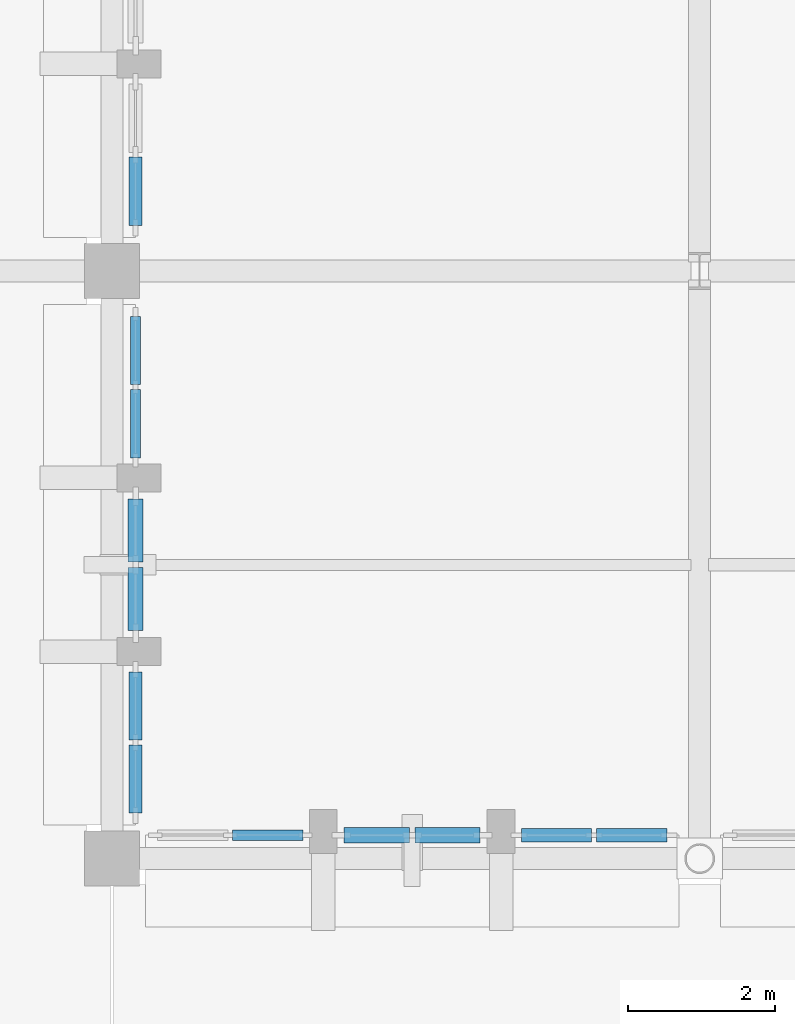
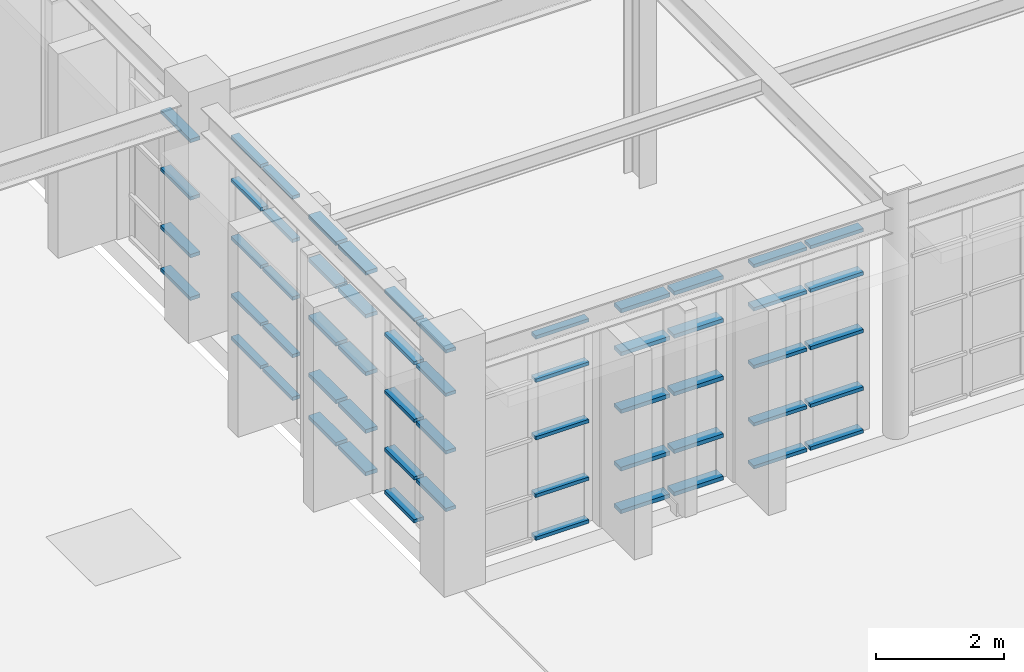
# One storey, part 74 of 155: 58 members, 7 elements without a shape of their own.
"""IFC4 building model written with IfcOpenShell, lengths in metres."""

from ifc_helpers import new_model, si_unit, direction, frame, origin, origin_2d, place, context, subcontext, project, spatial, rectangle, extrude, material, layer, layer_set, material_profile, profile_set, type_object, element, aggregate, save


model = new_model("IFC4")

# Units and contexts
model_context = context("Model", 3, precision=1e-05, world=origin(), true_north=direction((0.0, 1.0)))
body_context = subcontext(model_context, "Body", "Model", "MODEL_VIEW")
ifc_project = project(units=[si_unit("LENGTHUNIT", "METRE"), si_unit("AREAUNIT", "SQUARE_METRE"), si_unit("VOLUMEUNIT", "CUBIC_METRE"), si_unit("PLANEANGLEUNIT", "RADIAN"), si_unit("MASSUNIT", "GRAM", prefix="KILO")], contexts=[model_context])

# Site, building, storey
site_placement = place(None, origin())
site = spatial("IfcSite", under=ifc_project, at=site_placement, CompositionType="ELEMENT")
building_placement = place(site_placement, origin())
building = spatial("IfcBuilding", under=site, at=building_placement, Name="Tazarka Park Arena", CompositionType="ELEMENT")
storey_placement = place(building_placement, frame((0.0, 0.0, 5.39990234375)))
storey = spatial("IfcBuildingStorey", under=building, at=storey_placement, Name="L01", CompositionType="ELEMENT", Elevation=5.39990234375)

# Curtain wall, members
ifc_material_1 = material(Name="Aluminium and low-e glass", Category="aluminium")
ifc_layer_1 = layer(ifc_material_1, 0.179931640625, Name="Aluminium and low-e glass")
ifc_layer_set_1 = layer_set([ifc_layer_1], Name="Aluminium and low-e glass")
curtain_wall_type_1 = type_object("IfcCurtainWallType", Name="CW-15", PredefinedType="NOTDEFINED", material=ifc_layer_set_1)
curtain_wall_1_placement = place(storey_placement, origin())
curtain_wall_1 = element("IfcCurtainWall", 1, at=curtain_wall_1_placement, inside=storey, type_object=curtain_wall_type_1, Name="Curtain Wall CWA-L01-165", PredefinedType="NOTDEFINED")
ifc_material_2 = material(Name="Aluminium 6060-T66", Category="aluminium")
ifc_material_profile_1 = material_profile(ifc_material_2, rectangle(XDim=0.139892578125, YDim=0.06494140625, at=origin_2d()), Name="Aluminium 6060-T66")
ifc_profile_set_1 = profile_set([ifc_material_profile_1], Name="Aluminium 6060-T66")
member_type_1 = type_object("IfcMemberType", Name="CWT-01", PredefinedType="USERDEFINED", material=ifc_profile_set_1)
member_1_placement = place(storey_placement, frame((136.320068359375, 45.456787109375, 0.03271484375), z_axis=(0.0, 1.0, 0.0), x_axis=(-1.0, 0.0, 0.0)))
member_1 = element("IfcMember", 2, at=member_1_placement, type_object=member_type_1, Name="CW-15 transom 1.1", ObjectType="TRANSOM", PredefinedType="USERDEFINED", context=body_context, shape_type="SweptSolid", body=[
    extrude(rectangle(XDim=0.139892578125, YDim=0.06494140625, at=origin_2d()), origin(), (0.0, 0.0, 1.0), 0.928955078125),
])
member_2_placement = place(storey_placement, frame((136.320068359375, 45.456787109375, 0.85009765625), z_axis=(0.0, 1.0, 0.0), x_axis=(-1.0, 0.0, 0.0)))
member_2 = element("IfcMember", 3, at=member_2_placement, type_object=member_type_1, Name="CW-15 transom 1.2", ObjectType="TRANSOM", PredefinedType="USERDEFINED", context=body_context, shape_type="SweptSolid", body=[
    extrude(rectangle(XDim=0.139892578125, YDim=0.06494140625, at=origin_2d()), origin(), (0.0, 0.0, 1.0), 0.928955078125),
])
member_3_placement = place(storey_placement, frame((136.320068359375, 45.456787109375, 1.9501953125), z_axis=(0.0, 1.0, 0.0), x_axis=(-1.0, 0.0, 0.0)))
member_3 = element("IfcMember", 4, at=member_3_placement, type_object=member_type_1, Name="CW-15 transom 1.3", ObjectType="TRANSOM", PredefinedType="USERDEFINED", context=body_context, shape_type="SweptSolid", body=[
    extrude(rectangle(XDim=0.139892578125, YDim=0.06494140625, at=origin_2d()), origin(), (0.0, 0.0, 1.0), 0.928955078125),
])
member_4_placement = place(storey_placement, frame((136.320068359375, 45.456787109375, 3.050048828125), z_axis=(0.0, 1.0, 0.0), x_axis=(-1.0, 0.0, 0.0)))
member_4 = element("IfcMember", 5, at=member_4_placement, type_object=member_type_1, Name="CW-15 transom 1.4", ObjectType="TRANSOM", PredefinedType="USERDEFINED", context=body_context, shape_type="SweptSolid", body=[
    extrude(rectangle(XDim=0.139892578125, YDim=0.06494140625, at=origin_2d()), origin(), (0.0, 0.0, 1.0), 0.928955078125),
])
member_5_placement = place(storey_placement, frame((136.320068359375, 45.456787109375, 3.877685546875), z_axis=(0.0, 1.0, 0.0), x_axis=(-1.0, 0.0, 0.0)))
member_5 = element("IfcMember", 6, at=member_5_placement, type_object=member_type_1, Name="CW-15 transom 1.5", ObjectType="TRANSOM", PredefinedType="USERDEFINED", context=body_context, shape_type="SweptSolid", body=[
    extrude(rectangle(XDim=0.139892578125, YDim=0.06494140625, at=origin_2d()), origin(), (0.0, 0.0, 1.0), 0.928955078125),
])
member_6_placement = place(storey_placement, frame((136.320068359375, 46.450927734375, 0.03271484375), z_axis=(0.0, 1.0, 0.0), x_axis=(-1.0, 0.0, 0.0)))
member_6 = element("IfcMember", 7, at=member_6_placement, type_object=member_type_1, Name="CW-15 transom 2.1", ObjectType="TRANSOM", PredefinedType="USERDEFINED", context=body_context, shape_type="SweptSolid", body=[
    extrude(rectangle(XDim=0.139892578125, YDim=0.06494140625, at=origin_2d()), origin(), (0.0, 0.0, 1.0), 0.928955078125),
])
member_7_placement = place(storey_placement, frame((136.320068359375, 46.450927734375, 0.85009765625), z_axis=(0.0, 1.0, 0.0), x_axis=(-1.0, 0.0, 0.0)))
member_7 = element("IfcMember", 8, at=member_7_placement, type_object=member_type_1, Name="CW-15 transom 2.2", ObjectType="TRANSOM", PredefinedType="USERDEFINED", context=body_context, shape_type="SweptSolid", body=[
    extrude(rectangle(XDim=0.139892578125, YDim=0.06494140625, at=origin_2d()), origin(), (0.0, 0.0, 1.0), 0.928955078125),
])
member_8_placement = place(storey_placement, frame((136.320068359375, 46.450927734375, 1.9501953125), z_axis=(0.0, 1.0, 0.0), x_axis=(-1.0, 0.0, 0.0)))
member_8 = element("IfcMember", 9, at=member_8_placement, type_object=member_type_1, Name="CW-15 transom 2.3", ObjectType="TRANSOM", PredefinedType="USERDEFINED", context=body_context, shape_type="SweptSolid", body=[
    extrude(rectangle(XDim=0.139892578125, YDim=0.06494140625, at=origin_2d()), origin(), (0.0, 0.0, 1.0), 0.928955078125),
])
member_9_placement = place(storey_placement, frame((136.320068359375, 46.450927734375, 3.050048828125), z_axis=(0.0, 1.0, 0.0), x_axis=(-1.0, 0.0, 0.0)))
member_9 = element("IfcMember", 10, at=member_9_placement, type_object=member_type_1, Name="CW-15 transom 2.4", ObjectType="TRANSOM", PredefinedType="USERDEFINED", context=body_context, shape_type="SweptSolid", body=[
    extrude(rectangle(XDim=0.139892578125, YDim=0.06494140625, at=origin_2d()), origin(), (0.0, 0.0, 1.0), 0.928955078125),
])
member_10_placement = place(storey_placement, frame((136.320068359375, 46.450927734375, 3.877685546875), z_axis=(0.0, 1.0, 0.0), x_axis=(-1.0, 0.0, 0.0)))
member_10 = element("IfcMember", 11, at=member_10_placement, type_object=member_type_1, Name="CW-15 transom 2.5", ObjectType="TRANSOM", PredefinedType="USERDEFINED", context=body_context, shape_type="SweptSolid", body=[
    extrude(rectangle(XDim=0.139892578125, YDim=0.06494140625, at=origin_2d()), origin(), (0.0, 0.0, 1.0), 0.928955078125),
])
aggregate(curtain_wall_1, [member_1, member_2, member_3, member_4, member_5, member_6, member_7, member_8, member_9, member_10])

ifc_material_3 = material(Name="Aluminium and low-e glass", Category="aluminium")
ifc_layer_2 = layer(ifc_material_3, 0.179931640625, Name="Aluminium and low-e glass")
ifc_layer_set_2 = layer_set([ifc_layer_2], Name="Aluminium and low-e glass")
curtain_wall_type_2 = type_object("IfcCurtainWallType", Name="CW-18", PredefinedType="NOTDEFINED", material=ifc_layer_set_2)
curtain_wall_2_placement = place(storey_placement, origin())
curtain_wall_2 = element("IfcCurtainWall", 12, at=curtain_wall_2_placement, inside=storey, type_object=curtain_wall_type_2, Name="Curtain Wall CWA-L01-168", PredefinedType="NOTDEFINED")
member_11_placement = place(storey_placement, frame((138.6005859375, 40.320068359375, 0.03271484375), z_axis=(-1.0, 0.0, 0.0), x_axis=(0.0, -1.0, 0.0)))
member_11 = element("IfcMember", 13, at=member_11_placement, type_object=member_type_1, Name="CW-18 transom 1.1", ObjectType="TRANSOM", PredefinedType="USERDEFINED", context=body_context, shape_type="SweptSolid", body=[
    extrude(rectangle(XDim=0.139892578125, YDim=0.06494140625, at=origin_2d()), origin(), (0.0, 0.0, 1.0), 0.957763671875),
])
member_12_placement = place(storey_placement, frame((138.6005859375, 40.320068359375, 0.85009765625), z_axis=(-1.0, 0.0, 0.0), x_axis=(0.0, -1.0, 0.0)))
member_12 = element("IfcMember", 14, at=member_12_placement, type_object=member_type_1, Name="CW-18 transom 1.2", ObjectType="TRANSOM", PredefinedType="USERDEFINED", context=body_context, shape_type="SweptSolid", body=[
    extrude(rectangle(XDim=0.139892578125, YDim=0.06494140625, at=origin_2d()), origin(), (0.0, 0.0, 1.0), 0.957763671875),
])
member_13_placement = place(storey_placement, frame((138.6005859375, 40.320068359375, 1.9501953125), z_axis=(-1.0, 0.0, 0.0), x_axis=(0.0, -1.0, 0.0)))
member_13 = element("IfcMember", 15, at=member_13_placement, type_object=member_type_1, Name="CW-18 transom 1.3", ObjectType="TRANSOM", PredefinedType="USERDEFINED", context=body_context, shape_type="SweptSolid", body=[
    extrude(rectangle(XDim=0.139892578125, YDim=0.06494140625, at=origin_2d()), origin(), (0.0, 0.0, 1.0), 0.957763671875),
])
member_14_placement = place(storey_placement, frame((138.6005859375, 40.320068359375, 3.050048828125), z_axis=(-1.0, 0.0, 0.0), x_axis=(0.0, -1.0, 0.0)))
member_14 = element("IfcMember", 16, at=member_14_placement, type_object=member_type_1, Name="CW-18 transom 1.4", ObjectType="TRANSOM", PredefinedType="USERDEFINED", context=body_context, shape_type="SweptSolid", body=[
    extrude(rectangle(XDim=0.139892578125, YDim=0.06494140625, at=origin_2d()), origin(), (0.0, 0.0, 1.0), 0.957763671875),
])
member_15_placement = place(storey_placement, frame((138.6005859375, 40.320068359375, 3.877685546875), z_axis=(-1.0, 0.0, 0.0), x_axis=(0.0, -1.0, 0.0)))
member_15 = element("IfcMember", 17, at=member_15_placement, type_object=member_type_1, Name="CW-18 transom 1.5", ObjectType="TRANSOM", PredefinedType="USERDEFINED", context=body_context, shape_type="SweptSolid", body=[
    extrude(rectangle(XDim=0.139892578125, YDim=0.06494140625, at=origin_2d()), origin(), (0.0, 0.0, 1.0), 0.957763671875),
])
aggregate(curtain_wall_2, [member_11, member_12, member_13, member_14, member_15])

ifc_material_4 = material(Name="Aluminium and low-e glass", Category="aluminium")
ifc_layer_3 = layer(ifc_material_4, 0.179931640625, Name="Aluminium and low-e glass")
ifc_layer_set_3 = layer_set([ifc_layer_3], Name="Aluminium and low-e glass")
curtain_wall_type_3 = type_object("IfcCurtainWallType", Name="CW-10", PredefinedType="NOTDEFINED", material=ifc_layer_set_3)
curtain_wall_3_placement = place(storey_placement, origin())
curtain_wall_3 = element("IfcCurtainWall", 18, at=curtain_wall_3_placement, inside=storey, type_object=curtain_wall_type_3, Name="Curtain Wall CWA-L01-160", PredefinedType="NOTDEFINED")
ifc_material_5 = material(Name="Aluminium 6060-T66", Category="aluminium")
ifc_material_profile_2 = material_profile(ifc_material_5, rectangle(XDim=0.179931640625, YDim=0.06494140625, at=origin_2d()), Name="Aluminium 6060-T66")
ifc_profile_set_2 = profile_set([ifc_material_profile_2], Name="Aluminium 6060-T66")
member_type_2 = type_object("IfcMemberType", Name="CWT-02", PredefinedType="USERDEFINED", material=ifc_profile_set_2)
member_16_placement = place(storey_placement, frame((136.320068359375, 48.6201171875, 0.03271484375), z_axis=(0.0, 1.0, 0.0), x_axis=(-1.0, 0.0, 0.0)))
member_16 = element("IfcMember", 19, at=member_16_placement, type_object=member_type_2, Name="CW-10 transom 1.1", ObjectType="TRANSOM", PredefinedType="USERDEFINED", context=body_context, shape_type="SweptSolid", body=[
    extrude(rectangle(XDim=0.179931640625, YDim=0.06494140625, at=origin_2d()), origin(), (0.0, 0.0, 1.0), 0.928955078125),
])
member_17_placement = place(storey_placement, frame((136.320068359375, 48.6201171875, 0.85009765625), z_axis=(0.0, 1.0, 0.0), x_axis=(-1.0, 0.0, 0.0)))
member_17 = element("IfcMember", 20, at=member_17_placement, type_object=member_type_2, Name="CW-10 transom 1.2", ObjectType="TRANSOM", PredefinedType="USERDEFINED", context=body_context, shape_type="SweptSolid", body=[
    extrude(rectangle(XDim=0.179931640625, YDim=0.06494140625, at=origin_2d()), origin(), (0.0, 0.0, 1.0), 0.928955078125),
])
member_18_placement = place(storey_placement, frame((136.320068359375, 48.6201171875, 1.9501953125), z_axis=(0.0, 1.0, 0.0), x_axis=(-1.0, 0.0, 0.0)))
member_18 = element("IfcMember", 21, at=member_18_placement, type_object=member_type_2, Name="CW-10 transom 1.3", ObjectType="TRANSOM", PredefinedType="USERDEFINED", context=body_context, shape_type="SweptSolid", body=[
    extrude(rectangle(XDim=0.179931640625, YDim=0.06494140625, at=origin_2d()), origin(), (0.0, 0.0, 1.0), 0.928955078125),
])
member_19_placement = place(storey_placement, frame((136.320068359375, 48.6201171875, 3.050048828125), z_axis=(0.0, 1.0, 0.0), x_axis=(-1.0, 0.0, 0.0)))
member_19 = element("IfcMember", 22, at=member_19_placement, type_object=member_type_2, Name="CW-10 transom 1.4", ObjectType="TRANSOM", PredefinedType="USERDEFINED", context=body_context, shape_type="SweptSolid", body=[
    extrude(rectangle(XDim=0.179931640625, YDim=0.06494140625, at=origin_2d()), origin(), (0.0, 0.0, 1.0), 0.928955078125),
])
aggregate(curtain_wall_3, [member_16, member_17, member_18, member_19])

ifc_material_6 = material(Name="Aluminium and low-e glass", Category="aluminium")
ifc_layer_4 = layer(ifc_material_6, 0.179931640625, Name="Aluminium and low-e glass")
ifc_layer_set_4 = layer_set([ifc_layer_4], Name="Aluminium and low-e glass")
curtain_wall_type_4 = type_object("IfcCurtainWallType", Name="CW-13", PredefinedType="NOTDEFINED", material=ifc_layer_set_4)
curtain_wall_4_placement = place(storey_placement, origin())
curtain_wall_4 = element("IfcCurtainWall", 23, at=curtain_wall_4_placement, inside=storey, type_object=curtain_wall_type_4, Name="Curtain Wall CWA-L01-163", PredefinedType="NOTDEFINED")
member_20_placement = place(storey_placement, frame((136.320068359375, 40.6201171875, 0.85009765625), z_axis=(0.0, 1.0, 0.0), x_axis=(-1.0, 0.0, 0.0)))
member_20 = element("IfcMember", 24, at=member_20_placement, type_object=member_type_2, Name="CW-13 transom 1.2", ObjectType="TRANSOM", PredefinedType="USERDEFINED", context=body_context, shape_type="SweptSolid", body=[
    extrude(rectangle(XDim=0.179931640625, YDim=0.06494140625, at=origin_2d()), origin(), (0.0, 0.0, 1.0), 0.928955078125),
])
member_21_placement = place(storey_placement, frame((136.320068359375, 40.6201171875, 1.9501953125), z_axis=(0.0, 1.0, 0.0), x_axis=(-1.0, 0.0, 0.0)))
member_21 = element("IfcMember", 25, at=member_21_placement, type_object=member_type_2, Name="CW-13 transom 1.3", ObjectType="TRANSOM", PredefinedType="USERDEFINED", context=body_context, shape_type="SweptSolid", body=[
    extrude(rectangle(XDim=0.179931640625, YDim=0.06494140625, at=origin_2d()), origin(), (0.0, 0.0, 1.0), 0.928955078125),
])
member_22_placement = place(storey_placement, frame((136.320068359375, 40.6201171875, 3.050048828125), z_axis=(0.0, 1.0, 0.0), x_axis=(-1.0, 0.0, 0.0)))
member_22 = element("IfcMember", 26, at=member_22_placement, type_object=member_type_2, Name="CW-13 transom 1.4", ObjectType="TRANSOM", PredefinedType="USERDEFINED", context=body_context, shape_type="SweptSolid", body=[
    extrude(rectangle(XDim=0.179931640625, YDim=0.06494140625, at=origin_2d()), origin(), (0.0, 0.0, 1.0), 0.928955078125),
])
member_23_placement = place(storey_placement, frame((136.320068359375, 40.6201171875, 3.877685546875), z_axis=(0.0, 1.0, 0.0), x_axis=(-1.0, 0.0, 0.0)))
member_23 = element("IfcMember", 27, at=member_23_placement, type_object=member_type_2, Name="CW-13 transom 1.5", ObjectType="TRANSOM", PredefinedType="USERDEFINED", context=body_context, shape_type="SweptSolid", body=[
    extrude(rectangle(XDim=0.179931640625, YDim=0.06494140625, at=origin_2d()), origin(), (0.0, 0.0, 1.0), 0.928955078125),
])
member_24_placement = place(storey_placement, frame((136.320068359375, 41.6142578125, 0.03271484375), z_axis=(0.0, 1.0, 0.0), x_axis=(-1.0, 0.0, 0.0)))
member_24 = element("IfcMember", 28, at=member_24_placement, type_object=member_type_2, Name="CW-13 transom 2.1", ObjectType="TRANSOM", PredefinedType="USERDEFINED", context=body_context, shape_type="SweptSolid", body=[
    extrude(rectangle(XDim=0.179931640625, YDim=0.06494140625, at=origin_2d()), origin(), (0.0, 0.0, 1.0), 0.928955078125),
])
member_25_placement = place(storey_placement, frame((136.320068359375, 41.6142578125, 0.85009765625), z_axis=(0.0, 1.0, 0.0), x_axis=(-1.0, 0.0, 0.0)))
member_25 = element("IfcMember", 29, at=member_25_placement, type_object=member_type_2, Name="CW-13 transom 2.2", ObjectType="TRANSOM", PredefinedType="USERDEFINED", context=body_context, shape_type="SweptSolid", body=[
    extrude(rectangle(XDim=0.179931640625, YDim=0.06494140625, at=origin_2d()), origin(), (0.0, 0.0, 1.0), 0.928955078125),
])
member_26_placement = place(storey_placement, frame((136.320068359375, 41.6142578125, 1.9501953125), z_axis=(0.0, 1.0, 0.0), x_axis=(-1.0, 0.0, 0.0)))
member_26 = element("IfcMember", 30, at=member_26_placement, type_object=member_type_2, Name="CW-13 transom 2.3", ObjectType="TRANSOM", PredefinedType="USERDEFINED", context=body_context, shape_type="SweptSolid", body=[
    extrude(rectangle(XDim=0.179931640625, YDim=0.06494140625, at=origin_2d()), origin(), (0.0, 0.0, 1.0), 0.928955078125),
])
member_27_placement = place(storey_placement, frame((136.320068359375, 41.6142578125, 3.050048828125), z_axis=(0.0, 1.0, 0.0), x_axis=(-1.0, 0.0, 0.0)))
member_27 = element("IfcMember", 31, at=member_27_placement, type_object=member_type_2, Name="CW-13 transom 2.4", ObjectType="TRANSOM", PredefinedType="USERDEFINED", context=body_context, shape_type="SweptSolid", body=[
    extrude(rectangle(XDim=0.179931640625, YDim=0.06494140625, at=origin_2d()), origin(), (0.0, 0.0, 1.0), 0.928955078125),
])
member_28_placement = place(storey_placement, frame((136.320068359375, 41.6142578125, 3.877685546875), z_axis=(0.0, 1.0, 0.0), x_axis=(-1.0, 0.0, 0.0)))
member_28 = element("IfcMember", 32, at=member_28_placement, type_object=member_type_2, Name="CW-13 transom 2.5", ObjectType="TRANSOM", PredefinedType="USERDEFINED", context=body_context, shape_type="SweptSolid", body=[
    extrude(rectangle(XDim=0.179931640625, YDim=0.06494140625, at=origin_2d()), origin(), (0.0, 0.0, 1.0), 0.928955078125),
])
aggregate(curtain_wall_4, [member_20, member_21, member_22, member_23, member_24, member_25, member_26, member_27, member_28])

ifc_material_7 = material(Name="Aluminium and low-e glass", Category="aluminium")
ifc_layer_5 = layer(ifc_material_7, 0.179931640625, Name="Aluminium and low-e glass")
ifc_layer_set_5 = layer_set([ifc_layer_5], Name="Aluminium and low-e glass")
curtain_wall_type_5 = type_object("IfcCurtainWallType", Name="CW-16", PredefinedType="NOTDEFINED", material=ifc_layer_set_5)
curtain_wall_5_placement = place(storey_placement, origin())
curtain_wall_5 = element("IfcCurtainWall", 33, at=curtain_wall_5_placement, inside=storey, type_object=curtain_wall_type_5, Name="Curtain Wall CWA-L01-166", PredefinedType="NOTDEFINED")
member_29_placement = place(storey_placement, frame((143.5517578125, 40.320068359375, 0.03271484375), z_axis=(-1.0, 0.0, 0.0), x_axis=(0.0, -1.0, 0.0)))
member_29 = element("IfcMember", 34, at=member_29_placement, type_object=member_type_2, Name="CW-16 transom 1.1", ObjectType="TRANSOM", PredefinedType="USERDEFINED", context=body_context, shape_type="SweptSolid", body=[
    extrude(rectangle(XDim=0.179931640625, YDim=0.06494140625, at=origin_2d()), origin(), (0.0, 0.0, 1.0), 0.957763671875),
])
member_30_placement = place(storey_placement, frame((143.5517578125, 40.320068359375, 0.85009765625), z_axis=(-1.0, 0.0, 0.0), x_axis=(0.0, -1.0, 0.0)))
member_30 = element("IfcMember", 35, at=member_30_placement, type_object=member_type_2, Name="CW-16 transom 1.2", ObjectType="TRANSOM", PredefinedType="USERDEFINED", context=body_context, shape_type="SweptSolid", body=[
    extrude(rectangle(XDim=0.179931640625, YDim=0.06494140625, at=origin_2d()), origin(), (0.0, 0.0, 1.0), 0.957763671875),
])
member_31_placement = place(storey_placement, frame((143.5517578125, 40.320068359375, 1.9501953125), z_axis=(-1.0, 0.0, 0.0), x_axis=(0.0, -1.0, 0.0)))
member_31 = element("IfcMember", 36, at=member_31_placement, type_object=member_type_2, Name="CW-16 transom 1.3", ObjectType="TRANSOM", PredefinedType="USERDEFINED", context=body_context, shape_type="SweptSolid", body=[
    extrude(rectangle(XDim=0.179931640625, YDim=0.06494140625, at=origin_2d()), origin(), (0.0, 0.0, 1.0), 0.957763671875),
])
member_32_placement = place(storey_placement, frame((143.5517578125, 40.320068359375, 3.050048828125), z_axis=(-1.0, 0.0, 0.0), x_axis=(0.0, -1.0, 0.0)))
member_32 = element("IfcMember", 37, at=member_32_placement, type_object=member_type_2, Name="CW-16 transom 1.4", ObjectType="TRANSOM", PredefinedType="USERDEFINED", context=body_context, shape_type="SweptSolid", body=[
    extrude(rectangle(XDim=0.179931640625, YDim=0.06494140625, at=origin_2d()), origin(), (0.0, 0.0, 1.0), 0.957763671875),
])
member_33_placement = place(storey_placement, frame((143.5517578125, 40.320068359375, 3.877685546875), z_axis=(-1.0, 0.0, 0.0), x_axis=(0.0, -1.0, 0.0)))
member_33 = element("IfcMember", 38, at=member_33_placement, type_object=member_type_2, Name="CW-16 transom 1.5", ObjectType="TRANSOM", PredefinedType="USERDEFINED", context=body_context, shape_type="SweptSolid", body=[
    extrude(rectangle(XDim=0.179931640625, YDim=0.06494140625, at=origin_2d()), origin(), (0.0, 0.0, 1.0), 0.957763671875),
])
member_34_placement = place(storey_placement, frame((142.529052734375, 40.320068359375, 0.03271484375), z_axis=(-1.0, 0.0, 0.0), x_axis=(0.0, -1.0, 0.0)))
member_34 = element("IfcMember", 39, at=member_34_placement, type_object=member_type_2, Name="CW-16 transom 2.1", ObjectType="TRANSOM", PredefinedType="USERDEFINED", context=body_context, shape_type="SweptSolid", body=[
    extrude(rectangle(XDim=0.179931640625, YDim=0.06494140625, at=origin_2d()), origin(), (0.0, 0.0, 1.0), 0.957763671875),
])
member_35_placement = place(storey_placement, frame((142.529052734375, 40.320068359375, 0.85009765625), z_axis=(-1.0, 0.0, 0.0), x_axis=(0.0, -1.0, 0.0)))
member_35 = element("IfcMember", 40, at=member_35_placement, type_object=member_type_2, Name="CW-16 transom 2.2", ObjectType="TRANSOM", PredefinedType="USERDEFINED", context=body_context, shape_type="SweptSolid", body=[
    extrude(rectangle(XDim=0.179931640625, YDim=0.06494140625, at=origin_2d()), origin(), (0.0, 0.0, 1.0), 0.957763671875),
])
member_36_placement = place(storey_placement, frame((142.529052734375, 40.320068359375, 1.9501953125), z_axis=(-1.0, 0.0, 0.0), x_axis=(0.0, -1.0, 0.0)))
member_36 = element("IfcMember", 41, at=member_36_placement, type_object=member_type_2, Name="CW-16 transom 2.3", ObjectType="TRANSOM", PredefinedType="USERDEFINED", context=body_context, shape_type="SweptSolid", body=[
    extrude(rectangle(XDim=0.179931640625, YDim=0.06494140625, at=origin_2d()), origin(), (0.0, 0.0, 1.0), 0.957763671875),
])
member_37_placement = place(storey_placement, frame((142.529052734375, 40.320068359375, 3.050048828125), z_axis=(-1.0, 0.0, 0.0), x_axis=(0.0, -1.0, 0.0)))
member_37 = element("IfcMember", 42, at=member_37_placement, type_object=member_type_2, Name="CW-16 transom 2.4", ObjectType="TRANSOM", PredefinedType="USERDEFINED", context=body_context, shape_type="SweptSolid", body=[
    extrude(rectangle(XDim=0.179931640625, YDim=0.06494140625, at=origin_2d()), origin(), (0.0, 0.0, 1.0), 0.957763671875),
])
member_38_placement = place(storey_placement, frame((142.529052734375, 40.320068359375, 3.877685546875), z_axis=(-1.0, 0.0, 0.0), x_axis=(0.0, -1.0, 0.0)))
member_38 = element("IfcMember", 43, at=member_38_placement, type_object=member_type_2, Name="CW-16 transom 2.5", ObjectType="TRANSOM", PredefinedType="USERDEFINED", context=body_context, shape_type="SweptSolid", body=[
    extrude(rectangle(XDim=0.179931640625, YDim=0.06494140625, at=origin_2d()), origin(), (0.0, 0.0, 1.0), 0.957763671875),
])
aggregate(curtain_wall_5, [member_29, member_30, member_31, member_32, member_33, member_34, member_35, member_36, member_37, member_38])

ifc_material_8 = material(Name="Aluminium and low-e glass", Category="aluminium")
ifc_layer_6 = layer(ifc_material_8, 0.179931640625, Name="Aluminium and low-e glass")
ifc_layer_set_6 = layer_set([ifc_layer_6], Name="Aluminium and low-e glass")
curtain_wall_type_6 = type_object("IfcCurtainWallType", Name="CW-14", PredefinedType="NOTDEFINED", material=ifc_layer_set_6)
curtain_wall_6_placement = place(storey_placement, origin())
curtain_wall_6 = element("IfcCurtainWall", 44, at=curtain_wall_6_placement, inside=storey, type_object=curtain_wall_type_6, Name="Curtain Wall CWA-L01-164", PredefinedType="NOTDEFINED")
ifc_material_9 = material(Name="Aluminium 6060-T66", Category="aluminium")
ifc_material_profile_3 = material_profile(ifc_material_9, rectangle(XDim=0.2099609375, YDim=0.074951171875, at=origin_2d()), Name="Aluminium 6060-T66")
ifc_profile_set_3 = profile_set([ifc_material_profile_3], Name="Aluminium 6060-T66")
member_type_3 = type_object("IfcMemberType", Name="CWT-03", PredefinedType="USERDEFINED", material=ifc_profile_set_3)
member_39_placement = place(storey_placement, frame((136.320068359375, 43.103271484375, 0.03759765625), z_axis=(0.0, 1.0, 0.0), x_axis=(-1.0, 0.0, 0.0)))
member_39 = element("IfcMember", 45, at=member_39_placement, type_object=member_type_3, Name="CW-14 transom 1.1", ObjectType="TRANSOM", PredefinedType="USERDEFINED", context=body_context, shape_type="SweptSolid", body=[
    extrude(rectangle(XDim=0.2099609375, YDim=0.074951171875, at=origin_2d()), origin(), (0.0, 0.0, 1.0), 0.859130859375),
])
member_40_placement = place(storey_placement, frame((136.320068359375, 43.103271484375, 0.85009765625), z_axis=(0.0, 1.0, 0.0), x_axis=(-1.0, 0.0, 0.0)))
member_40 = element("IfcMember", 46, at=member_40_placement, type_object=member_type_3, Name="CW-14 transom 1.2", ObjectType="TRANSOM", PredefinedType="USERDEFINED", context=body_context, shape_type="SweptSolid", body=[
    extrude(rectangle(XDim=0.2099609375, YDim=0.074951171875, at=origin_2d()), origin(), (0.0, 0.0, 1.0), 0.859130859375),
])
member_41_placement = place(storey_placement, frame((136.320068359375, 43.103271484375, 1.9501953125), z_axis=(0.0, 1.0, 0.0), x_axis=(-1.0, 0.0, 0.0)))
member_41 = element("IfcMember", 47, at=member_41_placement, type_object=member_type_3, Name="CW-14 transom 1.3", ObjectType="TRANSOM", PredefinedType="USERDEFINED", context=body_context, shape_type="SweptSolid", body=[
    extrude(rectangle(XDim=0.2099609375, YDim=0.074951171875, at=origin_2d()), origin(), (0.0, 0.0, 1.0), 0.859130859375),
])
member_42_placement = place(storey_placement, frame((136.320068359375, 43.103271484375, 3.050048828125), z_axis=(0.0, 1.0, 0.0), x_axis=(-1.0, 0.0, 0.0)))
member_42 = element("IfcMember", 48, at=member_42_placement, type_object=member_type_3, Name="CW-14 transom 1.4", ObjectType="TRANSOM", PredefinedType="USERDEFINED", context=body_context, shape_type="SweptSolid", body=[
    extrude(rectangle(XDim=0.2099609375, YDim=0.074951171875, at=origin_2d()), origin(), (0.0, 0.0, 1.0), 0.859130859375),
])
member_43_placement = place(storey_placement, frame((136.320068359375, 43.103271484375, 3.87255859375), z_axis=(0.0, 1.0, 0.0), x_axis=(-1.0, 0.0, 0.0)))
member_43 = element("IfcMember", 49, at=member_43_placement, type_object=member_type_3, Name="CW-14 transom 1.5", ObjectType="TRANSOM", PredefinedType="USERDEFINED", context=body_context, shape_type="SweptSolid", body=[
    extrude(rectangle(XDim=0.2099609375, YDim=0.074951171875, at=origin_2d()), origin(), (0.0, 0.0, 1.0), 0.859130859375),
])
member_44_placement = place(storey_placement, frame((136.320068359375, 44.03759765625, 0.03759765625), z_axis=(0.0, 1.0, 0.0), x_axis=(-1.0, 0.0, 0.0)))
member_44 = element("IfcMember", 50, at=member_44_placement, type_object=member_type_3, Name="CW-14 transom 2.1", ObjectType="TRANSOM", PredefinedType="USERDEFINED", context=body_context, shape_type="SweptSolid", body=[
    extrude(rectangle(XDim=0.2099609375, YDim=0.074951171875, at=origin_2d()), origin(), (0.0, 0.0, 1.0), 0.859130859375),
])
member_45_placement = place(storey_placement, frame((136.320068359375, 44.03759765625, 0.85009765625), z_axis=(0.0, 1.0, 0.0), x_axis=(-1.0, 0.0, 0.0)))
member_45 = element("IfcMember", 51, at=member_45_placement, type_object=member_type_3, Name="CW-14 transom 2.2", ObjectType="TRANSOM", PredefinedType="USERDEFINED", context=body_context, shape_type="SweptSolid", body=[
    extrude(rectangle(XDim=0.2099609375, YDim=0.074951171875, at=origin_2d()), origin(), (0.0, 0.0, 1.0), 0.859130859375),
])
member_46_placement = place(storey_placement, frame((136.320068359375, 44.03759765625, 1.9501953125), z_axis=(0.0, 1.0, 0.0), x_axis=(-1.0, 0.0, 0.0)))
member_46 = element("IfcMember", 52, at=member_46_placement, type_object=member_type_3, Name="CW-14 transom 2.3", ObjectType="TRANSOM", PredefinedType="USERDEFINED", context=body_context, shape_type="SweptSolid", body=[
    extrude(rectangle(XDim=0.2099609375, YDim=0.074951171875, at=origin_2d()), origin(), (0.0, 0.0, 1.0), 0.859130859375),
])
member_47_placement = place(storey_placement, frame((136.320068359375, 44.03759765625, 3.050048828125), z_axis=(0.0, 1.0, 0.0), x_axis=(-1.0, 0.0, 0.0)))
member_47 = element("IfcMember", 53, at=member_47_placement, type_object=member_type_3, Name="CW-14 transom 2.4", ObjectType="TRANSOM", PredefinedType="USERDEFINED", context=body_context, shape_type="SweptSolid", body=[
    extrude(rectangle(XDim=0.2099609375, YDim=0.074951171875, at=origin_2d()), origin(), (0.0, 0.0, 1.0), 0.859130859375),
])
member_48_placement = place(storey_placement, frame((136.320068359375, 44.03759765625, 3.87255859375), z_axis=(0.0, 1.0, 0.0), x_axis=(-1.0, 0.0, 0.0)))
member_48 = element("IfcMember", 54, at=member_48_placement, type_object=member_type_3, Name="CW-14 transom 2.5", ObjectType="TRANSOM", PredefinedType="USERDEFINED", context=body_context, shape_type="SweptSolid", body=[
    extrude(rectangle(XDim=0.2099609375, YDim=0.074951171875, at=origin_2d()), origin(), (0.0, 0.0, 1.0), 0.859130859375),
])
aggregate(curtain_wall_6, [member_39, member_40, member_41, member_42, member_43, member_44, member_45, member_46, member_47, member_48])

ifc_material_10 = material(Name="Aluminium and low-e glass", Category="aluminium")
ifc_layer_7 = layer(ifc_material_10, 0.179931640625, Name="Aluminium and low-e glass")
ifc_layer_set_7 = layer_set([ifc_layer_7], Name="Aluminium and low-e glass")
curtain_wall_type_7 = type_object("IfcCurtainWallType", Name="CW-17", PredefinedType="NOTDEFINED", material=ifc_layer_set_7)
curtain_wall_7_placement = place(storey_placement, origin())
curtain_wall_7 = element("IfcCurtainWall", 55, at=curtain_wall_7_placement, inside=storey, type_object=curtain_wall_type_7, Name="Curtain Wall CWA-L01-167", PredefinedType="NOTDEFINED")
member_49_placement = place(storey_placement, frame((141.01123046875, 40.320068359375, 0.03759765625), z_axis=(-1.0, 0.0, 0.0), x_axis=(0.0, -1.0, 0.0)))
member_49 = element("IfcMember", 56, at=member_49_placement, type_object=member_type_3, Name="CW-17 transom 1.1", ObjectType="TRANSOM", PredefinedType="USERDEFINED", context=body_context, shape_type="SweptSolid", body=[
    extrude(rectangle(XDim=0.2099609375, YDim=0.074951171875, at=origin_2d()), origin(), (0.0, 0.0, 1.0), 0.887939453125),
])
member_50_placement = place(storey_placement, frame((141.01123046875, 40.320068359375, 0.85009765625), z_axis=(-1.0, 0.0, 0.0), x_axis=(0.0, -1.0, 0.0)))
member_50 = element("IfcMember", 57, at=member_50_placement, type_object=member_type_3, Name="CW-17 transom 1.2", ObjectType="TRANSOM", PredefinedType="USERDEFINED", context=body_context, shape_type="SweptSolid", body=[
    extrude(rectangle(XDim=0.2099609375, YDim=0.074951171875, at=origin_2d()), origin(), (0.0, 0.0, 1.0), 0.887939453125),
])
member_51_placement = place(storey_placement, frame((141.01123046875, 40.320068359375, 1.9501953125), z_axis=(-1.0, 0.0, 0.0), x_axis=(0.0, -1.0, 0.0)))
member_51 = element("IfcMember", 58, at=member_51_placement, type_object=member_type_3, Name="CW-17 transom 1.3", ObjectType="TRANSOM", PredefinedType="USERDEFINED", context=body_context, shape_type="SweptSolid", body=[
    extrude(rectangle(XDim=0.2099609375, YDim=0.074951171875, at=origin_2d()), origin(), (0.0, 0.0, 1.0), 0.887939453125),
])
member_52_placement = place(storey_placement, frame((141.01123046875, 40.320068359375, 3.050048828125), z_axis=(-1.0, 0.0, 0.0), x_axis=(0.0, -1.0, 0.0)))
member_52 = element("IfcMember", 59, at=member_52_placement, type_object=member_type_3, Name="CW-17 transom 1.4", ObjectType="TRANSOM", PredefinedType="USERDEFINED", context=body_context, shape_type="SweptSolid", body=[
    extrude(rectangle(XDim=0.2099609375, YDim=0.074951171875, at=origin_2d()), origin(), (0.0, 0.0, 1.0), 0.887939453125),
])
member_53_placement = place(storey_placement, frame((141.01123046875, 40.320068359375, 3.87255859375), z_axis=(-1.0, 0.0, 0.0), x_axis=(0.0, -1.0, 0.0)))
member_53 = element("IfcMember", 60, at=member_53_placement, type_object=member_type_3, Name="CW-17 transom 1.5", ObjectType="TRANSOM", PredefinedType="USERDEFINED", context=body_context, shape_type="SweptSolid", body=[
    extrude(rectangle(XDim=0.2099609375, YDim=0.074951171875, at=origin_2d()), origin(), (0.0, 0.0, 1.0), 0.887939453125),
])
member_54_placement = place(storey_placement, frame((140.04833984375, 40.320068359375, 0.03759765625), z_axis=(-1.0, 0.0, 0.0), x_axis=(0.0, -1.0, 0.0)))
member_54 = element("IfcMember", 61, at=member_54_placement, type_object=member_type_3, Name="CW-17 transom 2.1", ObjectType="TRANSOM", PredefinedType="USERDEFINED", context=body_context, shape_type="SweptSolid", body=[
    extrude(rectangle(XDim=0.2099609375, YDim=0.074951171875, at=origin_2d()), origin(), (0.0, 0.0, 1.0), 0.8876953125),
])
member_55_placement = place(storey_placement, frame((140.04833984375, 40.320068359375, 0.85009765625), z_axis=(-1.0, 0.0, 0.0), x_axis=(0.0, -1.0, 0.0)))
member_55 = element("IfcMember", 62, at=member_55_placement, type_object=member_type_3, Name="CW-17 transom 2.2", ObjectType="TRANSOM", PredefinedType="USERDEFINED", context=body_context, shape_type="SweptSolid", body=[
    extrude(rectangle(XDim=0.2099609375, YDim=0.074951171875, at=origin_2d()), origin(), (0.0, 0.0, 1.0), 0.8876953125),
])
member_56_placement = place(storey_placement, frame((140.04833984375, 40.320068359375, 1.9501953125), z_axis=(-1.0, 0.0, 0.0), x_axis=(0.0, -1.0, 0.0)))
member_56 = element("IfcMember", 63, at=member_56_placement, type_object=member_type_3, Name="CW-17 transom 2.3", ObjectType="TRANSOM", PredefinedType="USERDEFINED", context=body_context, shape_type="SweptSolid", body=[
    extrude(rectangle(XDim=0.2099609375, YDim=0.074951171875, at=origin_2d()), origin(), (0.0, 0.0, 1.0), 0.8876953125),
])
member_57_placement = place(storey_placement, frame((140.04833984375, 40.320068359375, 3.050048828125), z_axis=(-1.0, 0.0, 0.0), x_axis=(0.0, -1.0, 0.0)))
member_57 = element("IfcMember", 64, at=member_57_placement, type_object=member_type_3, Name="CW-17 transom 2.4", ObjectType="TRANSOM", PredefinedType="USERDEFINED", context=body_context, shape_type="SweptSolid", body=[
    extrude(rectangle(XDim=0.2099609375, YDim=0.074951171875, at=origin_2d()), origin(), (0.0, 0.0, 1.0), 0.8876953125),
])
member_58_placement = place(storey_placement, frame((140.04833984375, 40.320068359375, 3.87255859375), z_axis=(-1.0, 0.0, 0.0), x_axis=(0.0, -1.0, 0.0)))
member_58 = element("IfcMember", 65, at=member_58_placement, type_object=member_type_3, Name="CW-17 transom 2.5", ObjectType="TRANSOM", PredefinedType="USERDEFINED", context=body_context, shape_type="SweptSolid", body=[
    extrude(rectangle(XDim=0.2099609375, YDim=0.074951171875, at=origin_2d()), origin(), (0.0, 0.0, 1.0), 0.8876953125),
])
aggregate(curtain_wall_7, [member_49, member_50, member_51, member_52, member_53, member_54, member_55, member_56, member_57, member_58])

save(model, "model.ifc")
